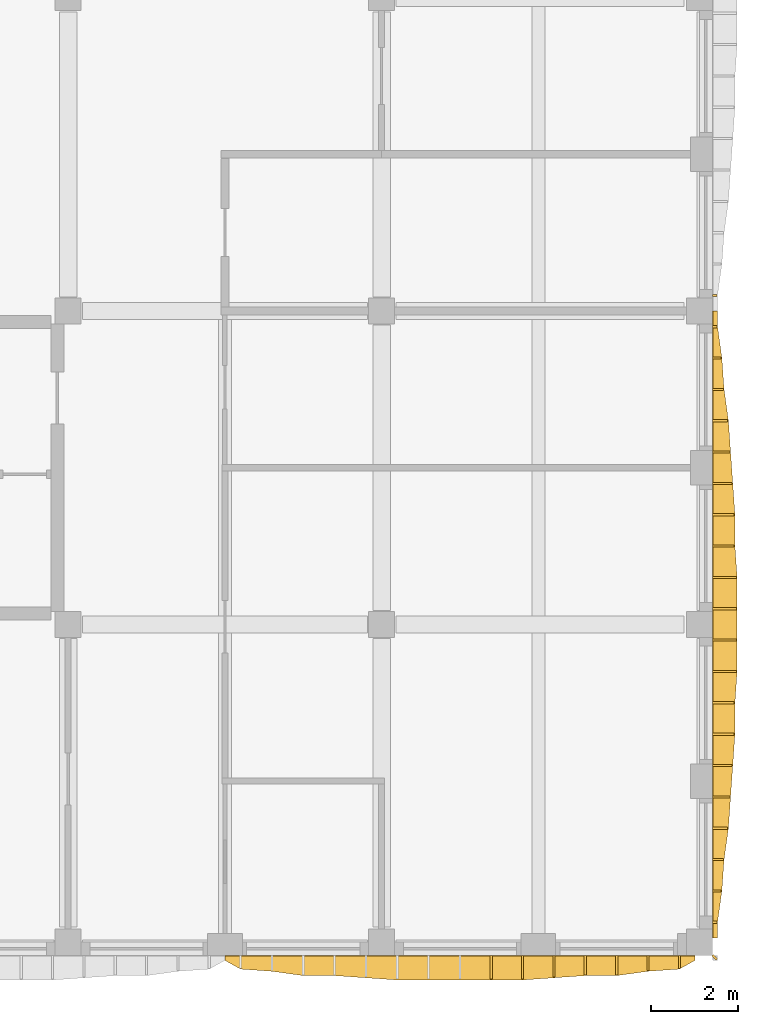
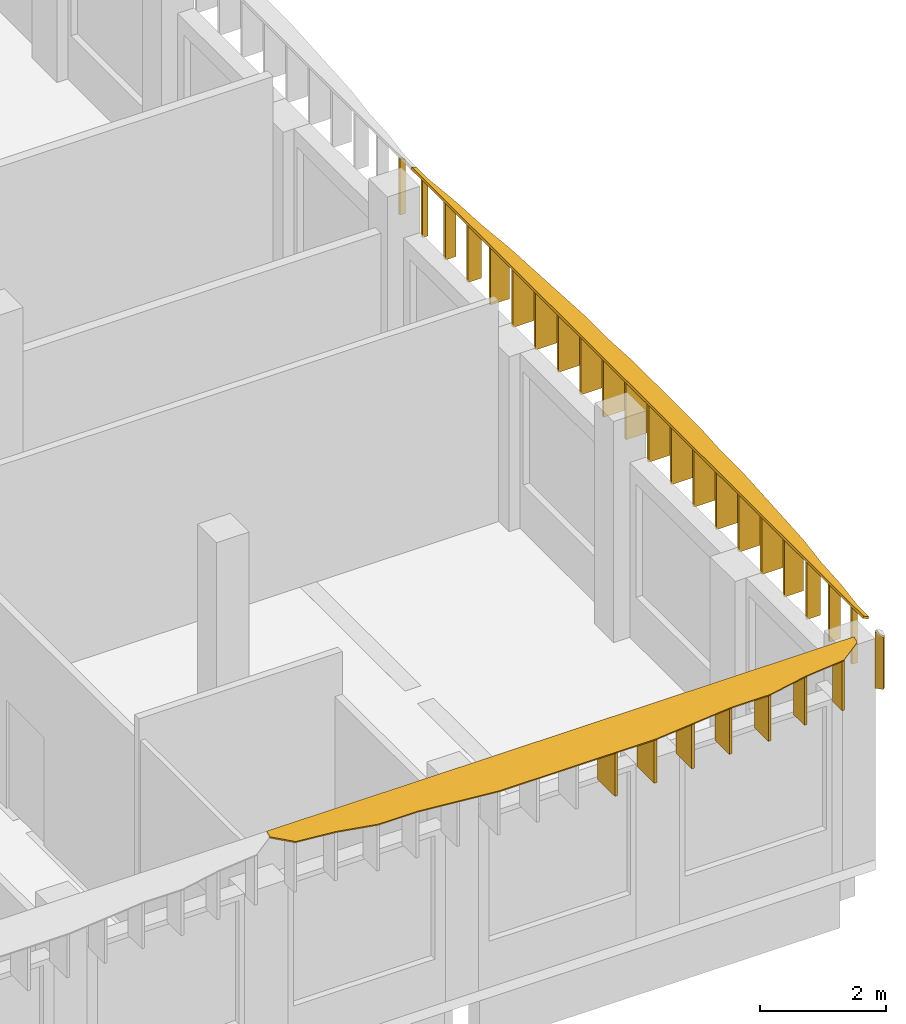
# One storey, part 6 of 10: 31 shading devices.
"""IFC4 building model written with IfcOpenShell, lengths in metres."""

import ifcopenshell
import ifcopenshell.guid

model = None  # the IFC model being written
_history = None  # IfcOwnerHistory: only IFC2X3 demands one
_inside = {}  # id of a spatial element -> (the spatial element, [elements in it])
_under = {}  # id of a project, library or spatial element -> (it, [spatial elements below it])
_declared = {}  # id of a project -> (the project, [libraries it declares])
_typed = {}  # id of a type object -> (the type object, [elements of that type])
_made_of = {}  # id of a material, layer set ... -> (it, [elements and type objects made of it])


def new_model(schema):
    """Start an empty IFC model of exactly this schema.

    Asked for "IFC4X3", IfcOpenShell would pick the latest addendum, in which some entities
    have other attributes; the version numbers below select the first issue.
    IFC2X3 requires an IfcOwnerHistory on every rooted entity: one is made here for all.
    """
    global model, _history
    if schema == "IFC4X3":
        model = ifcopenshell.file(schema_version=(4, 3, 0, 0))
    else:
        model = ifcopenshell.file(schema=schema)
    _inside.clear()
    _under.clear()
    _declared.clear()
    _typed.clear()
    _made_of.clear()
    _history = None
    if model.schema == "IFC2X3":
        org = make("IfcOrganization", Name="unknown")
        user = make(
            "IfcPersonAndOrganization",
            ThePerson=make("IfcPerson", FamilyName="unknown"),
            TheOrganization=org,
        )
        app = make(
            "IfcApplication",
            ApplicationDeveloper=org,
            Version="unknown",
            ApplicationFullName="unknown",
            ApplicationIdentifier="unknown",
        )
        _history = make(
            "IfcOwnerHistory",
            OwningUser=user,
            OwningApplication=app,
            ChangeAction="ADDED",
            CreationDate=0,
        )
    return model


def make(cls, **values):
    """One entity of the class cls with the attributes given. An attribute that is None is left unset."""
    return model.create_entity(
        cls, **{name: value for name, value in values.items() if value is not None}
    )


def rooted(cls, **values):
    """An entity with a GlobalId (a new one), such as an element, a storey or a relation."""
    return make(cls, GlobalId=ifcopenshell.guid.new(), OwnerHistory=_history, **values)


def si_unit(unit_type, name, prefix=None):
    """IfcSIUnit, for example si_unit("LENGTHUNIT", "METRE", prefix="MILLI")."""
    return make("IfcSIUnit", UnitType=unit_type, Prefix=prefix, Name=name)


def assignment(units):
    """IfcUnitAssignment: the units of a project."""
    return None if units is None else make("IfcUnitAssignment", Units=units)


def point(xyz):
    """IfcCartesianPoint."""
    return None if xyz is None else make("IfcCartesianPoint", Coordinates=xyz)


def direction(xyz):
    """IfcDirection."""
    return None if xyz is None else make("IfcDirection", DirectionRatios=xyz)


def frame(location, z_axis=None, x_axis=None):
    """IfcAxis2Placement3D, a coordinate frame: its origin and axes. An axis left out is left unset."""
    return make(
        "IfcAxis2Placement3D",
        Location=point(location),
        Axis=direction(z_axis),
        RefDirection=direction(x_axis),
    )


def origin():
    """The frame at (0, 0, 0) with its axes left unset."""
    return frame((0.0, 0.0, 0.0))


def place(relative_to, where):
    """IfcLocalPlacement: puts the frame where relative to a parent placement (None: the world)."""
    return make(
        "IfcLocalPlacement", PlacementRelTo=relative_to, RelativePlacement=where
    )


def context(
    kind, dimensions, precision=None, world=None, true_north=None, identifier=None
):
    """IfcGeometricRepresentationContext, for example the 3D "Model" context."""
    return make(
        "IfcGeometricRepresentationContext",
        ContextIdentifier=identifier,
        ContextType=kind,
        CoordinateSpaceDimension=dimensions,
        Precision=precision,
        WorldCoordinateSystem=world,
        TrueNorth=true_north,
    )


def subcontext(parent, identifier, kind, view, scale=None):
    """IfcGeometricRepresentationSubContext, for example "Body" below "Model"."""
    return make(
        "IfcGeometricRepresentationSubContext",
        ContextIdentifier=identifier,
        ContextType=kind,
        ParentContext=parent,
        TargetScale=scale,
        TargetView=view,
    )


def project(units=None, contexts=None):
    """IfcProject with its units and contexts."""
    return rooted(
        "IfcProject",
        Name="project",
        RepresentationContexts=contexts,
        UnitsInContext=assignment(units),
    )


def spatial(cls, under=None, at=None, **own):
    """A site, building, storey or space (cls), placed at a placement, below another one or the project."""
    s = rooted(cls, ObjectPlacement=at, **own)
    if under is not None:
        _under.setdefault(under.id(), (under, []))[1].append(s)
    return s


def polyline(points):
    """IfcPolyline through the points."""
    return make("IfcPolyline", Points=[point(p) for p in points])


def outline(outer, holes=None, kind="AREA"):
    """IfcArbitraryClosedProfileDef: a profile drawn as a closed curve; with holes, ...WithVoids."""
    if holes is None:
        return make("IfcArbitraryClosedProfileDef", ProfileType=kind, OuterCurve=outer)
    return make(
        "IfcArbitraryProfileDefWithVoids",
        ProfileType=kind,
        OuterCurve=outer,
        InnerCurves=holes,
    )


def extrude(swept, where, along, depth):
    """IfcExtrudedAreaSolid: the profile swept, set in the frame where, extruded along a direction by depth."""
    return make(
        "IfcExtrudedAreaSolid",
        SweptArea=swept,
        Position=where,
        ExtrudedDirection=direction(along),
        Depth=depth,
    )


def shape(context_of_items, identifier, shape_type, items):
    """IfcShapeRepresentation: the items that make up one representation, for example the "Body"."""
    return make(
        "IfcShapeRepresentation",
        ContextOfItems=context_of_items,
        RepresentationIdentifier=identifier,
        RepresentationType=shape_type,
        Items=items,
    )


def material(Name=None, Category=None):
    """IfcMaterial."""
    return make("IfcMaterial", Name=Name, Category=Category)


def layer(
    of_material, thickness, ventilated=None, Name=None, Category=None, Priority=None
):
    """IfcMaterialLayer: one layer of a wall or slab, of a material (None: an air gap)."""
    return make(
        "IfcMaterialLayer",
        Material=of_material,
        LayerThickness=thickness,
        IsVentilated=ventilated,
        Name=Name,
        Category=Category,
        Priority=Priority,
    )


def layer_set(layers, Name=None):
    """IfcMaterialLayerSet."""
    return make("IfcMaterialLayerSet", MaterialLayers=layers, LayerSetName=Name)


def made_of(thing, what):
    """Note that an element or type object is made of a material, layer set ...; save() writes the relation."""
    if what is not None:
        _made_of.setdefault(what.id(), (what, []))[1].append(thing)
    return thing


def type_object(cls, material=None, **own):
    """A type object (cls), such as IfcWallType, which elements share."""
    return made_of(rooted(cls, **own), material)


def element(
    cls,
    number,
    at=None,
    inside=None,
    cuts=None,
    type_object=None,
    material=None,
    context=None,
    identifier="Body",
    shape_type=None,
    held_by="IfcProductDefinitionShape",
    body=None,
    shapes=None,
    **own,
):
    """One element of the class cls, such as IfcWall. Its Tag is "e" and its number.

    at: its placement. inside: the storey or other place that contains it. cuts: it is an
    opening in that element (IfcRelVoidsElement). A single representation is given by context,
    identifier, shape_type and body (its items); several are given by shapes. held_by: the class
    of the entity that holds the representations. save() writes the other relations.
    """
    e = rooted(cls, Tag="e%d" % number, ObjectPlacement=at, **own)
    if body is not None:
        shapes = [shape(context, identifier, shape_type, body)]
    if shapes is not None:
        e.Representation = make(held_by, Representations=shapes)
    if inside is not None:
        _inside.setdefault(inside.id(), (inside, []))[1].append(e)
    if cuts is not None:
        rooted(
            "IfcRelVoidsElement", RelatingBuildingElement=cuts, RelatedOpeningElement=e
        )
    if type_object is not None:
        _typed.setdefault(type_object.id(), (type_object, []))[1].append(e)
    return made_of(e, material)


def aggregate(whole, parts):
    """IfcRelAggregates: a whole, such as a stair, and the parts it consists of."""
    return rooted("IfcRelAggregates", RelatingObject=whole, RelatedObjects=parts)


def save(model, path):
    """Write the relations noted so far, then the file.

    IfcRelAggregates (storeys below a building ...), IfcRelContainedInSpatialStructure (elements
    in a storey), IfcRelDefinesByType, IfcRelAssociatesMaterial and IfcRelDeclares: one each for
    every whole, place, type object, material and project.
    """
    for whole, parts in _under.values():
        aggregate(whole, parts)
    for where, things in _inside.values():
        rooted(
            "IfcRelContainedInSpatialStructure",
            RelatedElements=things,
            RelatingStructure=where,
        )
    for kind, things in _typed.values():
        rooted("IfcRelDefinesByType", RelatedObjects=things, RelatingType=kind)
    for what, things in _made_of.values():
        rooted("IfcRelAssociatesMaterial", RelatedObjects=things, RelatingMaterial=what)
    for by, libraries in _declared.values():
        rooted("IfcRelDeclares", RelatingContext=by, RelatedDefinitions=libraries)
    model.write(path)


model = new_model("IFC4")

# Units and contexts
model_context = context("Model", 3, precision=1e-05, world=origin(), true_north=direction((0.0, 1.0)))
body_context = subcontext(model_context, "Body", "Model", "MODEL_VIEW")
ifc_project = project(units=[si_unit("LENGTHUNIT", "METRE"), si_unit("AREAUNIT", "SQUARE_METRE"), si_unit("VOLUMEUNIT", "CUBIC_METRE"), si_unit("PLANEANGLEUNIT", "RADIAN"), si_unit("MASSUNIT", "GRAM", prefix="KILO")], contexts=[model_context])

# Site, building, storey
site_placement = place(None, origin())
site = spatial("IfcSite", under=ifc_project, at=site_placement, CompositionType="ELEMENT")
building_placement = place(site_placement, origin())
building = spatial("IfcBuilding", under=site, at=building_placement, Name="Ussher Court Research Institute", CompositionType="ELEMENT")
storey_placement = place(building_placement, frame((0.0, 0.0, 36.89990234375)))
storey = spatial("IfcBuildingStorey", under=building, at=storey_placement, Name="L08", CompositionType="ELEMENT", Elevation=36.89990234375)

# Shading devices
ifc_material_1 = material(Name="Bronze anodised aluminium", Category="aluminium")
ifc_layer_1 = layer(ifc_material_1, 0.050048828125)
ifc_layer_set_1 = layer_set([ifc_layer_1], Name="Bronze anodised aluminium")
shading_device_type_1 = type_object("IfcShadingDeviceType", Name="Brim blade 100 mm deep 1100 mm high canted 26 deg wet", PredefinedType="USERDEFINED", material=ifc_layer_set_1)
for number, where, z_axis, x_axis, name in (
    (1, (104.199951171875, 18.760009765625, 3.35009765625), (0.0, 0.0, 1.0), (1.0, 0.0, 0.0), "Brim blade BS10 L08"),
    (2, (104.199951171875, 18.0400390625, 3.35009765625), (0.0, 0.0, 1.0), (1.0, 0.0, 0.0), "Brim blade BS10 L08"),
    (3, (104.199951171875, 4.360107421875, 3.35009765625), (0.0, 0.0, 1.0), (1.0, 0.0, 0.0), "Brim blade BS10 L08"),
):
    element("IfcShadingDevice", number, at=place(storey_placement, frame(where, z_axis=z_axis, x_axis=x_axis)), inside=storey, type_object=shading_device_type_1, Name=name, ObjectType="BLADE", PredefinedType="USERDEFINED", context=body_context, shape_type="SweptSolid", body=[
        extrude(outline(polyline([(0.0, 0.0), (0.10009765625, 0.0), (0.10009765625, 1.05126953125), (0.0, 1.10009765625), (0.0, 0.0)])), frame((0.0, 0.02490234375, 0.0), z_axis=(0.0, -1.0, 0.0), x_axis=(1.0, 0.0, 0.0)), (0.0, 0.0, 1.0), 0.050048828125),
    ])
ifc_material_2 = material(Name="Bronze anodised aluminium", Category="aluminium")
ifc_layer_2 = layer(ifc_material_2, 0.050048828125)
ifc_layer_set_2 = layer_set([ifc_layer_2], Name="Bronze anodised aluminium")
shading_device_type_2 = type_object("IfcShadingDeviceType", Name="Brim blade 200 mm deep 1100 mm high canted 26 deg wet", PredefinedType="USERDEFINED", material=ifc_layer_set_2)
for number, where, z_axis, x_axis, name in (
    (4, (104.199951171875, 17.320068359375, 3.35009765625), (0.0, 0.0, 1.0), (1.0, 0.0, 0.0), "Brim blade BS08 L08"),
    (5, (104.199951171875, 5.080078125, 3.35009765625), (0.0, 0.0, 1.0), (1.0, 0.0, 0.0), "Brim blade BS08 L08"),
):
    element("IfcShadingDevice", number, at=place(storey_placement, frame(where, z_axis=z_axis, x_axis=x_axis)), inside=storey, type_object=shading_device_type_2, Name=name, ObjectType="BLADE", PredefinedType="USERDEFINED", context=body_context, shape_type="SweptSolid", body=[
        extrude(outline(polyline([(0.0, 0.0), (0.199951171875, 0.0), (0.199951171875, 1.00244140625), (0.0, 1.10009765625), (0.0, 0.0)])), frame((0.0, 0.02490234375, 0.0), z_axis=(0.0, -1.0, 0.0), x_axis=(1.0, 0.0, 0.0)), (0.0, 0.0, 1.0), 0.050048828125),
    ])
ifc_material_3 = material(Name="Bronze anodised aluminium", Category="aluminium")
ifc_layer_3 = layer(ifc_material_3, 0.050048828125)
ifc_layer_set_3 = layer_set([ifc_layer_3], Name="Bronze anodised aluminium")
shading_device_type_3 = type_object("IfcShadingDeviceType", Name="Brim blade 250 mm deep 1100 mm high canted 26 deg wet", PredefinedType="USERDEFINED", material=ifc_layer_set_3)
for number, where, z_axis, x_axis, name in (
    (6, (104.199951171875, 16.60009765625, 3.35009765625), (0.0, 0.0, 1.0), (1.0, 0.0, 0.0), "Brim blade BS07 L08"),
    (7, (104.199951171875, 5.800048828125, 3.35009765625), (0.0, 0.0, 1.0), (1.0, 0.0, 0.0), "Brim blade BS07 L08"),
):
    element("IfcShadingDevice", number, at=place(storey_placement, frame(where, z_axis=z_axis, x_axis=x_axis)), inside=storey, type_object=shading_device_type_3, Name=name, ObjectType="BLADE", PredefinedType="USERDEFINED", context=body_context, shape_type="SweptSolid", body=[
        extrude(outline(polyline([(0.0, 0.0), (0.25, 0.0), (0.25, 0.97802734375), (0.0, 1.10009765625), (0.0, 0.0)])), frame((0.0, 0.02490234375, 0.0), z_axis=(0.0, -1.0, 0.0), x_axis=(1.0, 0.0, 0.0)), (0.0, 0.0, 1.0), 0.050048828125),
    ])
ifc_material_4 = material(Name="Bronze anodised aluminium", Category="aluminium")
ifc_layer_4 = layer(ifc_material_4, 0.050048828125)
ifc_layer_set_4 = layer_set([ifc_layer_4], Name="Bronze anodised aluminium")
shading_device_type_4 = type_object("IfcShadingDeviceType", Name="Brim blade 300 mm deep 1100 mm high canted 26 deg wet", PredefinedType="USERDEFINED", material=ifc_layer_set_4)
shading_device_1_placement = place(storey_placement, frame((103.43994140625, 3.60009765625, 3.35009765625), z_axis=(0.0, 0.0, 1.0), x_axis=(0.0, -1.0, 0.0)))
element("IfcShadingDevice", 8, at=shading_device_1_placement, inside=storey, type_object=shading_device_type_4, Name="Brim blade BS06 L08", ObjectType="BLADE", PredefinedType="USERDEFINED", context=body_context, shape_type="SweptSolid", body=[
    extrude(outline(polyline([(0.0, 0.0), (0.300048828125, 0.0), (0.300048828125, 0.95361328125), (0.0, 1.10009765625), (0.0, 0.0)])), frame((0.0, 0.02490234375, 0.0), z_axis=(0.0, -1.0, 0.0), x_axis=(1.0, 0.0, 0.0)), (0.0, 0.0, 1.0), 0.050048828125),
])
ifc_material_5 = material(Name="Bronze anodised aluminium", Category="aluminium")
ifc_layer_5 = layer(ifc_material_5, 0.050048828125)
ifc_layer_set_5 = layer_set([ifc_layer_5], Name="Bronze anodised aluminium")
shading_device_type_5 = type_object("IfcShadingDeviceType", Name="Brim blade 350 mm deep 1100 mm high canted 26 deg wet", PredefinedType="USERDEFINED", material=ifc_layer_set_5)
for number, where, z_axis, x_axis, name in (
    (9, (104.199951171875, 15.8798828125, 3.35009765625), (0.0, 0.0, 1.0), (1.0, 0.0, 0.0), "Brim blade BS05 L08"),
    (10, (104.199951171875, 6.52001953125, 3.35009765625), (0.0, 0.0, 1.0), (1.0, 0.0, 0.0), "Brim blade BS05 L08"),
    (11, (102.719970703125, 3.60009765625, 3.35009765625), (0.0, 0.0, 1.0), (0.0, -1.0, 0.0), "Brim blade BS05 L08"),
):
    element("IfcShadingDevice", number, at=place(storey_placement, frame(where, z_axis=z_axis, x_axis=x_axis)), inside=storey, type_object=shading_device_type_5, Name=name, ObjectType="BLADE", PredefinedType="USERDEFINED", context=body_context, shape_type="SweptSolid", body=[
        extrude(outline(polyline([(0.0, 0.0), (0.35009765625, 0.0), (0.35009765625, 0.92919921875), (0.0, 1.10009765625), (0.0, 0.0)])), frame((0.0, 0.02490234375, 0.0), z_axis=(0.0, -1.0, 0.0), x_axis=(1.0, 0.0, 0.0)), (0.0, 0.0, 1.0), 0.050048828125),
    ])
ifc_material_6 = material(Name="Bronze anodised aluminium", Category="aluminium")
ifc_layer_6 = layer(ifc_material_6, 0.050048828125)
ifc_layer_set_6 = layer_set([ifc_layer_6], Name="Bronze anodised aluminium")
shading_device_type_6 = type_object("IfcShadingDeviceType", Name="Brim blade 400 mm deep 1100 mm high canted 26 deg wet", PredefinedType="USERDEFINED", material=ifc_layer_set_6)
for number, where, z_axis, x_axis, name in (
    (12, (104.199951171875, 15.159912109375, 3.35009765625), (0.0, 0.0, 1.0), (1.0, 0.0, 0.0), "Brim blade BS04 L08"),
    (13, (104.199951171875, 7.239990234375, 3.35009765625), (0.0, 0.0, 1.0), (1.0, 0.0, 0.0), "Brim blade BS04 L08"),
):
    element("IfcShadingDevice", number, at=place(storey_placement, frame(where, z_axis=z_axis, x_axis=x_axis)), inside=storey, type_object=shading_device_type_6, Name=name, ObjectType="BLADE", PredefinedType="USERDEFINED", context=body_context, shape_type="SweptSolid", body=[
        extrude(outline(polyline([(0.0, 0.0), (0.400146484375, 0.0), (0.39990234375, 0.90478515625), (0.0, 1.10009765625), (0.0, 0.0)])), frame((0.0, 0.02490234375, 0.0), z_axis=(0.0, -1.0, 0.0), x_axis=(1.0, 0.0, 0.0)), (0.0, 0.0, 1.0), 0.050048828125),
    ])
ifc_material_7 = material(Name="Bronze anodised aluminium", Category="aluminium")
ifc_layer_7 = layer(ifc_material_7, 0.050048828125)
ifc_layer_set_7 = layer_set([ifc_layer_7], Name="Bronze anodised aluminium")
shading_device_type_7 = type_object("IfcShadingDeviceType", Name="Brim blade 450 mm deep 1100 mm high canted 26 deg wet", PredefinedType="USERDEFINED", material=ifc_layer_set_7)
for number, where, z_axis, x_axis, name in (
    (14, (104.199951171875, 14.43994140625, 3.35009765625), (0.0, 0.0, 1.0), (1.0, 0.0, 0.0), "Brim blade BS03 L08"),
    (15, (104.199951171875, 7.9599609375, 3.35009765625), (0.0, 0.0, 1.0), (1.0, 0.0, 0.0), "Brim blade BS03 L08"),
):
    element("IfcShadingDevice", number, at=place(storey_placement, frame(where, z_axis=z_axis, x_axis=x_axis)), inside=storey, type_object=shading_device_type_7, Name=name, ObjectType="BLADE", PredefinedType="USERDEFINED", context=body_context, shape_type="SweptSolid", body=[
        extrude(outline(polyline([(0.0, 0.0), (0.449951171875, 0.0), (0.449951171875, 0.880615234375), (0.0, 1.10009765625), (0.0, 0.0)])), frame((0.0, 0.02490234375, 0.0), z_axis=(0.0, -1.0, 0.0), x_axis=(1.0, 0.0, 0.0)), (0.0, 0.0, 1.0), 0.050048828125),
    ])
for number, where, z_axis, x_axis, name in (
    (16, (102.0, 3.60009765625, 3.35009765625), (0.0, 0.0, 1.0), (0.0, -1.0, 0.0), "Brim blade BS03 L08"),
    (17, (101.280029296875, 3.60009765625, 3.35009765625), (0.0, 0.0, 1.0), (0.0, -1.0, 0.0), "Brim blade BS03 L08"),
):
    element("IfcShadingDevice", number, at=place(storey_placement, frame(where, z_axis=z_axis, x_axis=x_axis)), inside=storey, type_object=shading_device_type_7, Name=name, ObjectType="BLADE", PredefinedType="USERDEFINED", context=body_context, shape_type="SweptSolid", body=[
        extrude(outline(polyline([(0.0, 0.0), (0.4501953125, 0.0), (0.449951171875, 0.880615234375), (0.0, 1.10009765625), (0.0, 0.0)])), frame((0.0, 0.02490234375, 0.0), z_axis=(0.0, -1.0, 0.0), x_axis=(1.0, 0.0, 0.0)), (0.0, 0.0, 1.0), 0.050048828125),
    ])
ifc_material_8 = material(Name="Bronze anodised aluminium", Category="aluminium")
ifc_layer_8 = layer(ifc_material_8, 0.050048828125)
ifc_layer_set_8 = layer_set([ifc_layer_8], Name="Bronze anodised aluminium")
shading_device_type_8 = type_object("IfcShadingDeviceType", Name="Brim blade 500 mm deep 1100 mm high canted 26 deg wet", PredefinedType="USERDEFINED", material=ifc_layer_set_8)
for number, where, z_axis, x_axis, name in (
    (18, (104.199951171875, 13.719970703125, 3.35009765625), (0.0, 0.0, 1.0), (1.0, 0.0, 0.0), "Brim blade BS02 L08"),
    (19, (104.199951171875, 13.0, 3.35009765625), (0.0, 0.0, 1.0), (1.0, 0.0, 0.0), "Brim blade BS02 L08"),
    (20, (104.199951171875, 9.39990234375, 3.35009765625), (0.0, 0.0, 1.0), (1.0, 0.0, 0.0), "Brim blade BS02 L08"),
    (21, (104.199951171875, 8.679931640625, 3.35009765625), (0.0, 0.0, 1.0), (1.0, 0.0, 0.0), "Brim blade BS02 L08"),
    (22, (100.56005859375, 3.60009765625, 3.35009765625), (0.0, 0.0, 1.0), (0.0, -1.0, 0.0), "Brim blade BS02 L08"),
):
    element("IfcShadingDevice", number, at=place(storey_placement, frame(where, z_axis=z_axis, x_axis=x_axis)), inside=storey, type_object=shading_device_type_8, Name=name, ObjectType="BLADE", PredefinedType="USERDEFINED", context=body_context, shape_type="SweptSolid", body=[
        extrude(outline(polyline([(0.0, 0.0), (0.5, 0.0), (0.5, 0.856201171875), (0.0, 1.10009765625), (0.0, 0.0)])), frame((0.0, 0.02490234375, 0.0), z_axis=(0.0, -1.0, 0.0), x_axis=(1.0, 0.0, 0.0)), (0.0, 0.0, 1.0), 0.050048828125),
    ])
ifc_material_9 = material(Name="Bronze anodised aluminium", Category="aluminium")
ifc_layer_9 = layer(ifc_material_9, 0.050048828125)
ifc_layer_set_9 = layer_set([ifc_layer_9], Name="Bronze anodised aluminium")
shading_device_type_9 = type_object("IfcShadingDeviceType", Name="Brim blade 550 mm deep 1100 mm high canted 26 deg wet", PredefinedType="USERDEFINED", material=ifc_layer_set_9)
for number, where, z_axis, x_axis, name in (
    (23, (104.199951171875, 12.280029296875, 3.35009765625), (0.0, 0.0, 1.0), (1.0, 0.0, 0.0), "Brim blade BS01 L08"),
    (24, (104.199951171875, 11.56005859375, 3.35009765625), (0.0, 0.0, 1.0), (1.0, 0.0, 0.0), "Brim blade BS01 L08"),
    (25, (104.199951171875, 10.840087890625, 3.35009765625), (0.0, 0.0, 1.0), (1.0, 0.0, 0.0), "Brim blade BS01 L08"),
    (26, (104.199951171875, 10.1201171875, 3.35009765625), (0.0, 0.0, 1.0), (1.0, 0.0, 0.0), "Brim blade BS01 L08"),
    (27, (99.840087890625, 3.60009765625, 3.35009765625), (0.0, 0.0, 1.0), (0.0, -1.0, 0.0), "Brim blade BS01 L08"),
    (28, (99.1201171875, 3.60009765625, 3.35009765625), (0.0, 0.0, 1.0), (0.0, -1.0, 0.0), "Brim blade BS01 L08"),
):
    element("IfcShadingDevice", number, at=place(storey_placement, frame(where, z_axis=z_axis, x_axis=x_axis)), inside=storey, type_object=shading_device_type_9, Name=name, ObjectType="BLADE", PredefinedType="USERDEFINED", context=body_context, shape_type="SweptSolid", body=[
        extrude(outline(polyline([(0.0, 0.0), (0.550048828125, 0.0), (0.550048828125, 0.831787109375), (0.0, 1.10009765625), (0.0, 0.0)])), frame((0.0, 0.02490234375, 0.0), z_axis=(0.0, -1.0, 0.0), x_axis=(1.0, 0.0, 0.0)), (0.0, 0.0, 1.0), 0.050048828125),
    ])
ifc_material_10 = material(Name="Bronze anodised aluminium", Category="aluminium")
ifc_layer_10 = layer(ifc_material_10, 0.050048828125)
ifc_layer_set_10 = layer_set([ifc_layer_10], Name="Bronze anodised aluminium")
shading_device_type_10 = type_object("IfcShadingDeviceType", Name="Brim mitre blade 100 mm deep 1100 mm high canted 26 deg wet", PredefinedType="USERDEFINED", material=ifc_layer_set_10)
shading_device_2_placement = place(storey_placement, frame((104.199951171875, 3.60009765625, 3.35009765625), z_axis=(0.0, 0.0, 1.0), x_axis=(0.707106781187, -0.707106781187, 0.0)))
element("IfcShadingDevice", 29, at=shading_device_2_placement, inside=storey, type_object=shading_device_type_10, Name="Brim mitre blade BS18 L08", ObjectType="BLADE", PredefinedType="USERDEFINED", context=body_context, shape_type="SweptSolid", body=[
    extrude(outline(polyline([(0.0, 0.0), (0.1416015625, 0.0), (0.141357421875, 1.00244140625), (0.0, 1.10009765625), (0.0, 0.0)])), frame((0.0, 0.02490234375, 0.0), z_axis=(0.0, -1.0, 0.0), x_axis=(1.0, 0.0, 0.0)), (0.0, 0.0, 1.0), 0.050048828125),
])
ifc_material_11 = material(Name="Bronze anodised aluminium", Category="aluminium")
ifc_layer_11 = layer(ifc_material_11, 0.0400390625)
ifc_layer_set_11 = layer_set([ifc_layer_11], Name="Bronze anodised aluminium")
shading_device_type_11 = type_object("IfcShadingDeviceType", Name="Brim visor sheet 40 mm canted 26 deg wet", PredefinedType="USERDEFINED", material=ifc_layer_set_11)
shading_device_3_placement = place(storey_placement, frame((104.217529296875, 18.39990234375, 4.486083984375), z_axis=(0.438529187419, 0.0, 0.898716947532), x_axis=(0.0, -1.0, 0.0)))
element("IfcShadingDevice", 30, at=shading_device_3_placement, inside=storey, type_object=shading_device_type_11, Name="Brim visor sheet BR1 L08", ObjectType="BRIM", PredefinedType="USERDEFINED", context=body_context, shape_type="SweptSolid", body=[
    extrude(outline(polyline([(0.0, 0.0), (14.39990234375, 0.0), (14.39990234375, 0.11115260474230423), (14.039794921875, 0.11115260474230423), (13.31982421875, 0.22252462280187707), (12.599853515625, 0.2782106318316635), (11.8798828125, 0.38936323657396776), (11.159912109375, 0.4449421828138569), (10.43994140625, 0.5006281918436433), (9.719970703125, 0.5563142008734296), (9.0, 0.5563142008734296), (8.27978515625, 0.6120002099032161), (7.559814453125, 0.6120002099032161), (6.83984375, 0.6120002099032161), (6.119873046875, 0.6120002099032161), (5.39990234375, 0.5563142008734296), (4.679931640625, 0.5563142008734296), (3.9599609375, 0.5006281918436433), (3.239990234375, 0.4449421828138569), (2.52001953125, 0.38936323657396776), (1.7998046875, 0.2782106318316635), (1.079833984375, 0.22252462280187707), (0.35986328125, 0.11115260474230423), (0.0, 0.11115260474230423), (0.0, 0.0)])), origin(), (0.0, 0.0, -1.0), 0.0400390625),
])
shading_device_4_placement = place(storey_placement, frame((103.800048828125, 3.58251953125, 4.486083984375), z_axis=(0.0, -0.438461416816, 0.898750013054), x_axis=(-1.0, 0.0, 0.0)))
element("IfcShadingDevice", 31, at=shading_device_4_placement, inside=storey, type_object=shading_device_type_11, Name="Brim visor sheet BR1 L08", ObjectType="BRIM", PredefinedType="USERDEFINED", context=body_context, shape_type="SweptSolid", body=[
    extrude(outline(polyline([(0.0, 0.0), (10.800048828125, 0.0), (10.800048828125, 0.1113720187292832), (10.43994140625, 0.33389663479794396), (9.719970703125, 0.38958264416258553), (9.0, 0.5006281952576233), (8.280029296875, 0.5006281952576233), (7.56005859375, 0.5563142046222649), (6.840087890625, 0.6120002139869065), (6.1201171875, 0.6120002139869065), (5.400146484375, 0.6120002139869065), (4.679931640625, 0.6120002139869065), (3.9599609375, 0.6120002139869065), (3.239990234375, 0.5563142046222649), (2.52001953125, 0.5006281952576233), (1.800048828125, 0.5006281952576233), (1.080078125, 0.38958264416258553), (0.360107421875, 0.33389663479794396), (0.0, 0.1113720187292832), (0.0, 0.0)])), origin(), (0.0, 0.0, -1.0), 0.0400390625),
])

save(model, "model.ifc")
